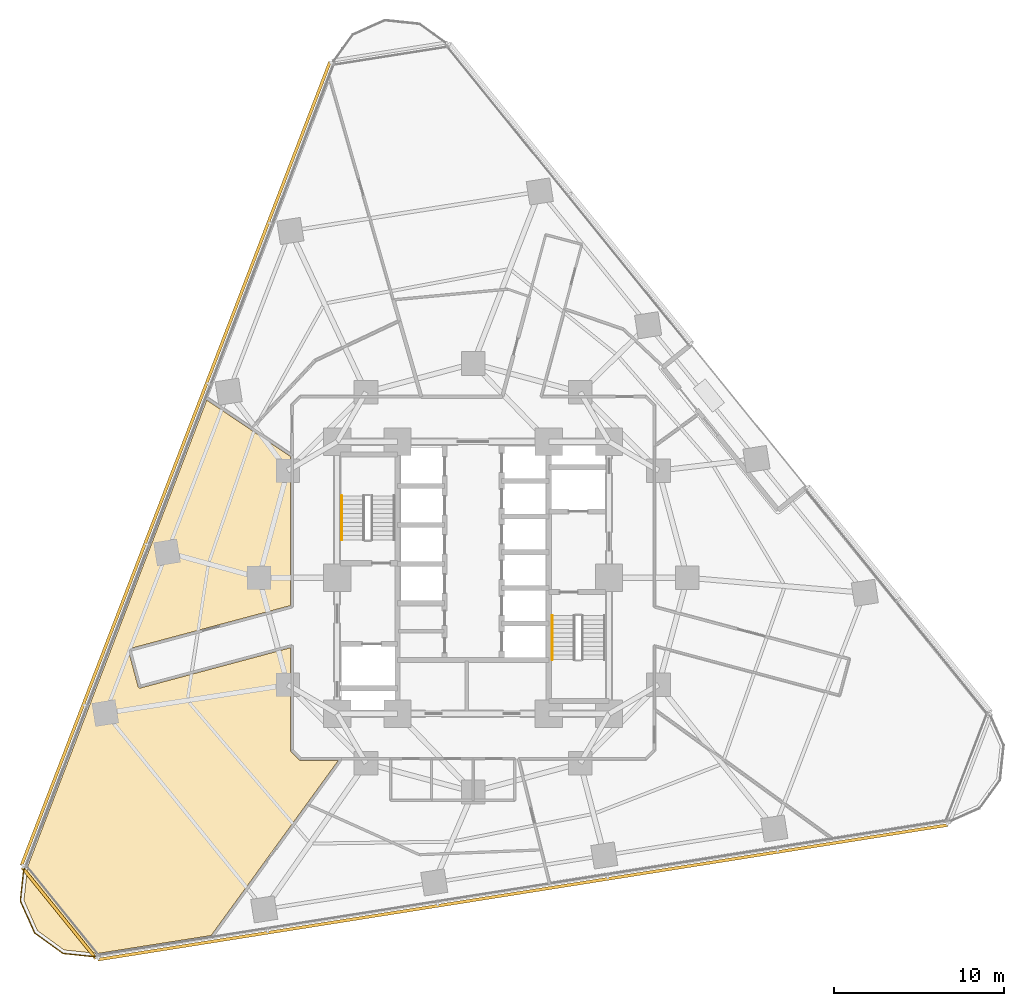
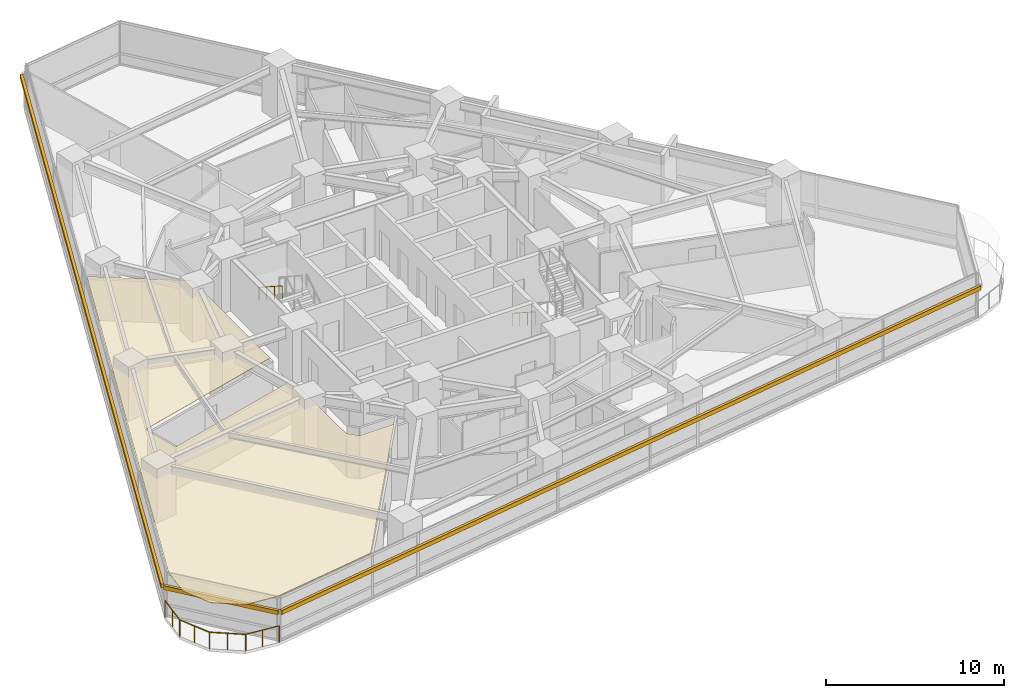
# One storey, part 12 of 14: 3 railings, 3 shading devices, 1 covering.
"""IFC4 building model written with IfcOpenShell, lengths in metres."""

from ifc_helpers import new_model, si_unit, direction, frame, origin, origin_2d, place, context, subcontext, project, spatial, polyline, rectangle, circle, outline, extrude, material, layer, layer_set, type_object, element, save


model = new_model("IFC4")

# Units and contexts
model_context = context("Model", 3, precision=1e-05, world=origin(), true_north=direction((0.0, 1.0)))
body_context = subcontext(model_context, "Body", "Model", "MODEL_VIEW")
ifc_project = project(units=[si_unit("LENGTHUNIT", "METRE"), si_unit("AREAUNIT", "SQUARE_METRE"), si_unit("VOLUMEUNIT", "CUBIC_METRE"), si_unit("PLANEANGLEUNIT", "RADIAN"), si_unit("MASSUNIT", "GRAM", prefix="KILO")], contexts=[model_context])

# Site, building, storey
site_placement = place(None, origin())
site = spatial("IfcSite", under=ifc_project, at=site_placement, CompositionType="ELEMENT")
building_placement = place(site_placement, origin())
building = spatial("IfcBuilding", under=site, at=building_placement, Name="Terralouvre Media Tower", CompositionType="ELEMENT")
storey_placement = place(building_placement, frame((0.0, 0.0, 63.0)))
storey = spatial("IfcBuildingStorey", under=building, at=storey_placement, Name="L15", CompositionType="ELEMENT", Elevation=63.0)

# Covering
ifc_material_1 = material(Name="Perforated aluminium acoustic ceiling baffle", Category="aluminium")
ifc_layer_1 = layer(ifc_material_1, 0.0400390625, Name="Perforated Acoustic Metal Tile Ceiling CL-AC1")
ifc_layer_set_1 = layer_set([ifc_layer_1], Name="Perforated aluminium acoustic ceiling baffle")
covering_type = type_object("IfcCoveringType", Name="Perforated Acoustic Metal Tile Ceiling CL-AC1", PredefinedType="CEILING", material=ifc_layer_set_1)
covering_placement = place(storey_placement, frame((0.0, 0.0, 2.97998046875), z_axis=(0.0, 0.0, 1.0), x_axis=(0.987688340595, 0.15643446504, 0.0)))
element("IfcCovering", 1, at=covering_placement, inside=storey, type_object=covering_type, Name="L15 Podcast Editing Creative Workshop 2 Acoustic Ceiling", PredefinedType="CEILING", context=body_context, shape_type="SweptSolid", body=[
    extrude(outline(polyline([(-9.518310546875, -9.37646484375), (-11.706787109375, -9.02978515625), (-11.71630859375, -9.02783203125), (-11.7255859375, -9.02490234375), (-11.734619140625, -9.02099609375), (-11.743408203125, -9.016357421875), (-11.75146484375, -9.0107421875), (-11.759033203125, -9.00439453125), (-11.765869140625, -8.99755859375), (-11.77197265625, -8.98974609375), (-12.1875, -8.417724609375), (-12.19287109375, -8.409423828125), (-12.197509765625, -8.40087890625), (-12.201171875, -8.391845703125), (-12.203857421875, -8.38232421875), (-12.205810546875, -8.372802734375), (-12.20654296875, -8.363037109375), (-12.20654296875, -8.35302734375), (-12.20556640625, -8.34326171875), (-11.262451171875, -2.389892578125), (-20.361328125, -3.3466796875), (-20.37109375, -3.34716796875), (-20.380859375, -3.3466796875), (-20.390625, -3.34521484375), (-20.400146484375, -3.343017578125), (-20.409423828125, -3.33984375), (-20.418212890625, -3.335693359375), (-20.4267578125, -3.33056640625), (-20.434814453125, -3.324951171875), (-20.44189453125, -3.318359375), (-20.44873046875, -3.31103515625), (-20.45458984375, -3.30322265625), (-20.459716796875, -3.294921875), (-20.4638671875, -3.285888671875), (-20.46728515625, -3.27685546875), (-20.4697265625, -3.267333984375), (-20.47119140625, -3.257568359375), (-20.701904296875, -1.069580078125), (-20.702392578125, -1.059814453125), (-20.701904296875, -1.050048828125), (-20.700439453125, -1.040283203125), (-20.6982421875, -1.03076171875), (-20.695068359375, -1.021484375), (-20.69091796875, -1.0126953125), (-20.685791015625, -1.004150390625), (-20.679931640625, -0.99609375), (-20.673583984375, -0.989013671875), (-20.666259765625, -0.982177734375), (-20.658447265625, -0.976318359375), (-20.650146484375, -0.97119140625), (-20.64111328125, -0.967041015625), (-20.6318359375, -0.963623046875), (-20.62255859375, -0.961181640625), (-20.61279296875, -0.959716796875), (-10.8740234375, 0.0634765625), (-9.502197265625, 8.724609375), (-11.56982421875, 10.653076171875), (-13.845703125, 12.775146484375), (-28.561279296875, -12.713134765625), (-29.072509765625, -14.618896484375), (-28.569580078125, -16.49462890625), (-27.19580078125, -17.867919921875), (-25.291015625, -18.378173828125), (-18.519775390625, -18.37890625), (-11.740966796875, -11.599365234375), (-9.518310546875, -9.37646484375)])), origin(), (0.0, 0.0, 1.0), 0.0400390625),
])

# Railings
ifc_material_2 = material(Name="Stainless steel 316 handrail and balustrade", Category="steel")
ifc_layer_2 = layer(ifc_material_2, 0.06005859375, Name="Roof Edge Safety Guardrail GR-ROOF1")
ifc_layer_set_2 = layer_set([ifc_layer_2], Name="Stainless steel 316 handrail and balustrade")
railing_type_1 = type_object("IfcRailingType", Name="Roof Edge Safety Guardrail GR-ROOF1", PredefinedType="GUARDRAIL", material=ifc_layer_set_2)
railing_placement = place(storey_placement, frame((-26.424560546875, -16.965087890625, 0.0)))
element("IfcRailing", 2, at=railing_placement, inside=storey, type_object=railing_type_1, Name="L15 Wind-Corner Perimeter Safety Guardrail C0", PredefinedType="GUARDRAIL", context=body_context, shape_type="SweptSolid", body=[
    extrude(circle(Radius=0.02099609375, at=origin_2d()), frame((0.0, 0.0, 1.12890625), z_axis=(-0.104666273578, -0.994507401267, 0.0), x_axis=(0.994507401267, -0.104666273578, 0.0)), (0.0, 0.0, 1.0), 2.0595703125),
    extrude(circle(Radius=0.02099609375, at=origin_2d()), frame((-0.215576171875, -2.04833984375, 1.12890625), z_axis=(0.406644402356, -0.913586520278, 0.0), x_axis=(0.913586520278, 0.406644402356, 0.0)), (0.0, 0.0, 1.0), 2.059326171875),
    extrude(circle(Radius=0.02099609375, at=origin_2d()), frame((0.621826171875, -3.9296875, 1.12890625), z_axis=(0.809069210714, -0.587713375954, 0.0), x_axis=(0.587713375954, 0.809069210714, 0.0)), (0.0, 0.0, 1.0), 2.05908203125),
    extrude(circle(Radius=0.02099609375, at=origin_2d()), frame((2.287841796875, -5.139892578125, 1.12890625), z_axis=(0.994544355817, -0.104314545068, 0.0), x_axis=(0.104314545068, 0.994544355817, 0.0)), (0.0, 0.0, 1.0), 2.0595703125),
    extrude(circle(Radius=0.01904296875, at=origin_2d()), origin(), (0.0, 0.0, 1.0), 1.10791015625),
    extrude(circle(Radius=0.01904296875, at=origin_2d()), frame((-0.10791015625, -1.024169921875, 0.0)), (0.0, 0.0, 1.0), 1.10791015625),
    extrude(circle(Radius=0.01904296875, at=origin_2d()), frame((-0.215576171875, -2.04833984375, 0.0)), (0.0, 0.0, 1.0), 1.10791015625),
    extrude(circle(Radius=0.01904296875, at=origin_2d()), frame((0.203125, -2.989013671875, 0.0)), (0.0, 0.0, 1.0), 1.10791015625),
    extrude(circle(Radius=0.01904296875, at=origin_2d()), frame((0.621826171875, -3.9296875, 0.0)), (0.0, 0.0, 1.0), 1.10791015625),
    extrude(circle(Radius=0.01904296875, at=origin_2d()), frame((1.454833984375, -4.53466796875, 0.0)), (0.0, 0.0, 1.0), 1.10791015625),
    extrude(circle(Radius=0.01904296875, at=origin_2d()), frame((2.287841796875, -5.139892578125, 0.0)), (0.0, 0.0, 1.0), 1.10791015625),
    extrude(circle(Radius=0.01904296875, at=origin_2d()), frame((3.31201171875, -5.247314453125, 0.0)), (0.0, 0.0, 1.0), 1.10791015625),
    extrude(circle(Radius=0.01904296875, at=origin_2d()), frame((4.336181640625, -5.354736328125, 0.0)), (0.0, 0.0, 1.0), 1.10791015625),
])
ifc_material_3 = material(Name="Stainless steel 316 handrail and balustrade", Category="steel")
ifc_layer_3 = layer(ifc_material_3, 0.050048828125, Name="Stair Flight Wall Handrail HR-INT1")
ifc_layer_set_3 = layer_set([ifc_layer_3], Name="Stainless steel 316 handrail and balustrade")
railing_type_2 = type_object("IfcRailingType", Name="Stair Flight Wall Handrail HR-INT1", PredefinedType="HANDRAIL", material=ifc_layer_set_3)
for number, where, name in (
    (3, (-7.72998046875, 4.820068359375, 2.01806640625), "L15 ST-01 stair handrail 2"),
    (4, (4.64990234375, -2.219970703125, 0.168212890625), "L15 ST-02 stair handrail 1"),
):
    element("IfcRailing", number, at=place(storey_placement, frame(where)), inside=storey, type_object=railing_type_2, Name=name, PredefinedType="HANDRAIL", context=body_context, shape_type="SweptSolid", body=[
        extrude(circle(Radius=0.02392578125, at=origin_2d()), frame((0.0, 0.0, 0.8759765625), z_axis=(0.0, -0.839648411786, 0.543130320075), x_axis=(1.0, 0.0, 0.0)), (0.0, 0.0, 1.0), 3.0966796875),
        extrude(circle(Radius=0.02099609375, at=origin_2d()), origin(), (0.0, 0.0, 1.0), 0.851806640625),
        extrude(circle(Radius=0.02099609375, at=origin_2d()), frame((0.0, -0.86669921875, 0.560546875)), (0.0, 0.0, 1.0), 0.851806640625),
        extrude(circle(Radius=0.02099609375, at=origin_2d()), frame((0.0, -1.7333984375, 1.121337890625)), (0.0, 0.0, 1.0), 0.851806640625),
        extrude(circle(Radius=0.02099609375, at=origin_2d()), frame((0.0, -2.60009765625, 1.681884765625)), (0.0, 0.0, 1.0), 0.851806640625),
    ])

# Shading devices
ifc_material_4 = material(Name="Extruded terracotta baguette sunshade louvres", Category="masonry")
shading_device_type = type_object("IfcShadingDeviceType", Name="Terracotta Baguette Sunshade Louvre Screen TB-LV1", PredefinedType="USERDEFINED", material=ifc_material_4)
for number, where, z_axis, x_axis, name in (
    (5, (2.931396484375, -18.5078125, 2.02392578125), (0.0, 0.0, 1.0), (0.987688340934, 0.156434462903, 0.0), "CW-L15-F0 Terracotta Baguette Sunshade Louvre"),
    (6, (-17.493896484375, 6.71533203125, 2.02392578125), (0.0, 0.0, 1.0), (-0.358367917006, -0.933580438988, 0.0), "CW-L15-F2 Terracotta Baguette Sunshade Louvre"),
):
    element("IfcShadingDevice", number, at=place(storey_placement, frame(where, z_axis=z_axis, x_axis=x_axis)), inside=storey, type_object=shading_device_type, Name=name, ObjectType="BAGUETTE", PredefinedType="USERDEFINED", context=body_context, shape_type="SweptSolid", body=[
        extrude(rectangle(XDim=50.639892578125, YDim=0.179931640625, at=origin_2d()), origin(), (0.0, 0.0, 1.0), 0.280029296875),
    ])
shading_device_placement = place(storey_placement, frame((-24.361328125, -19.727294921875, 2.02392578125), z_axis=(0.0, 0.0, 1.0), x_axis=(0.629320031936, -0.777146252262, 0.0)))
element("IfcShadingDevice", 7, at=shading_device_placement, inside=storey, type_object=shading_device_type, Name="CW-L15-C0 Terracotta Baguette Sunshade Louvre", ObjectType="BAGUETTE", PredefinedType="USERDEFINED", context=body_context, shape_type="SweptSolid", body=[
    extrude(rectangle(XDim=6.8935546875, YDim=0.179931640625, at=origin_2d()), origin(), (0.0, 0.0, 1.0), 0.280029296875),
])

save(model, "model.ifc")
